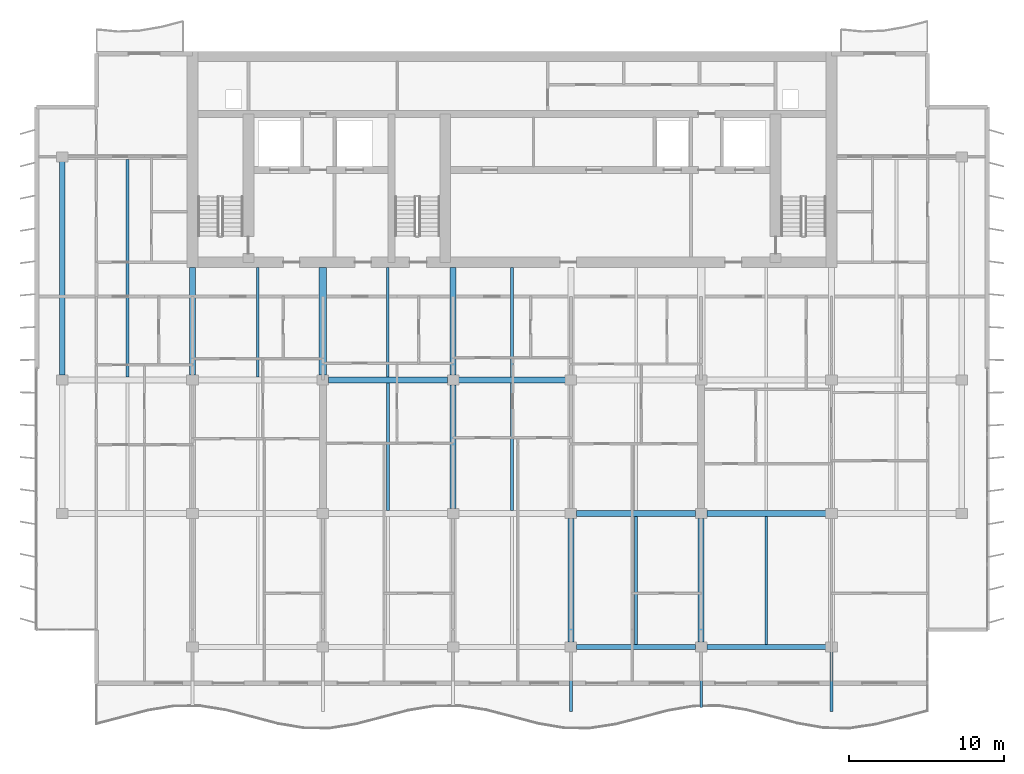
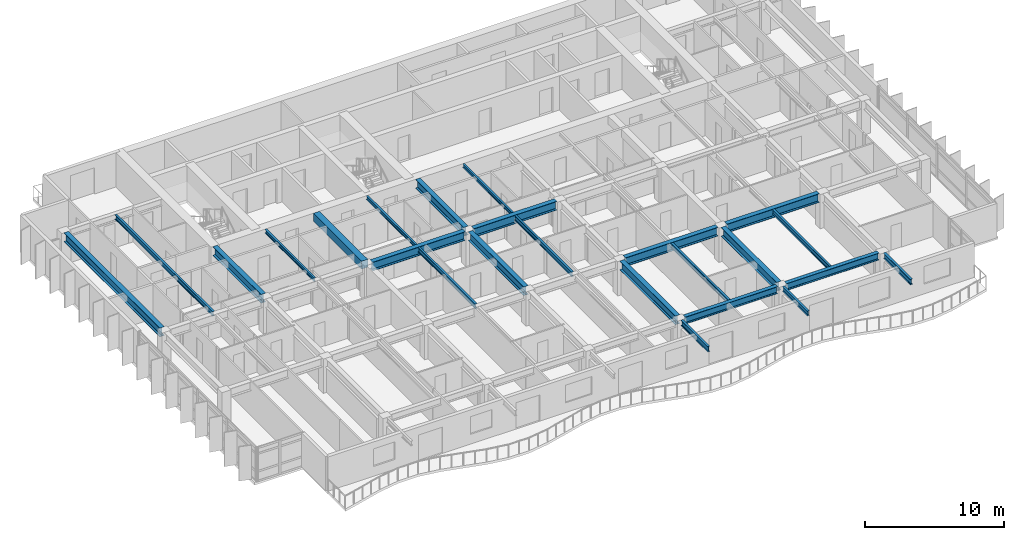
# One storey, part 3 of 16: 24 beams.
"""IFC4 building model written with IfcOpenShell, lengths in metres."""

import ifcopenshell
import ifcopenshell.guid

model = None  # the IFC model being written
_history = None  # IfcOwnerHistory: only IFC2X3 demands one
_inside = {}  # id of a spatial element -> (the spatial element, [elements in it])
_under = {}  # id of a project, library or spatial element -> (it, [spatial elements below it])
_declared = {}  # id of a project -> (the project, [libraries it declares])
_typed = {}  # id of a type object -> (the type object, [elements of that type])
_made_of = {}  # id of a material, layer set ... -> (it, [elements and type objects made of it])


def new_model(schema):
    """Start an empty IFC model of exactly this schema.

    Asked for "IFC4X3", IfcOpenShell would pick the latest addendum, in which some entities
    have other attributes; the version numbers below select the first issue.
    IFC2X3 requires an IfcOwnerHistory on every rooted entity: one is made here for all.
    """
    global model, _history
    if schema == "IFC4X3":
        model = ifcopenshell.file(schema_version=(4, 3, 0, 0))
    else:
        model = ifcopenshell.file(schema=schema)
    _inside.clear()
    _under.clear()
    _declared.clear()
    _typed.clear()
    _made_of.clear()
    _history = None
    if model.schema == "IFC2X3":
        org = make("IfcOrganization", Name="unknown")
        user = make(
            "IfcPersonAndOrganization",
            ThePerson=make("IfcPerson", FamilyName="unknown"),
            TheOrganization=org,
        )
        app = make(
            "IfcApplication",
            ApplicationDeveloper=org,
            Version="unknown",
            ApplicationFullName="unknown",
            ApplicationIdentifier="unknown",
        )
        _history = make(
            "IfcOwnerHistory",
            OwningUser=user,
            OwningApplication=app,
            ChangeAction="ADDED",
            CreationDate=0,
        )
    return model


def make(cls, **values):
    """One entity of the class cls with the attributes given. An attribute that is None is left unset."""
    return model.create_entity(
        cls, **{name: value for name, value in values.items() if value is not None}
    )


def rooted(cls, **values):
    """An entity with a GlobalId (a new one), such as an element, a storey or a relation."""
    return make(cls, GlobalId=ifcopenshell.guid.new(), OwnerHistory=_history, **values)


def si_unit(unit_type, name, prefix=None):
    """IfcSIUnit, for example si_unit("LENGTHUNIT", "METRE", prefix="MILLI")."""
    return make("IfcSIUnit", UnitType=unit_type, Prefix=prefix, Name=name)


def assignment(units):
    """IfcUnitAssignment: the units of a project."""
    return None if units is None else make("IfcUnitAssignment", Units=units)


def point(xyz):
    """IfcCartesianPoint."""
    return None if xyz is None else make("IfcCartesianPoint", Coordinates=xyz)


def direction(xyz):
    """IfcDirection."""
    return None if xyz is None else make("IfcDirection", DirectionRatios=xyz)


def frame(location, z_axis=None, x_axis=None):
    """IfcAxis2Placement3D, a coordinate frame: its origin and axes. An axis left out is left unset."""
    return make(
        "IfcAxis2Placement3D",
        Location=point(location),
        Axis=direction(z_axis),
        RefDirection=direction(x_axis),
    )


def frame_2d(location, x_axis=None):
    """IfcAxis2Placement2D, a coordinate frame in the plane: its origin and x axis."""
    return make(
        "IfcAxis2Placement2D", Location=point(location), RefDirection=direction(x_axis)
    )


def origin():
    """The frame at (0, 0, 0) with its axes left unset."""
    return frame((0.0, 0.0, 0.0))


def origin_2d():
    """The frame at (0, 0) in the plane with its x axis left unset."""
    return frame_2d((0.0, 0.0))


def place(relative_to, where):
    """IfcLocalPlacement: puts the frame where relative to a parent placement (None: the world)."""
    return make(
        "IfcLocalPlacement", PlacementRelTo=relative_to, RelativePlacement=where
    )


def context(
    kind, dimensions, precision=None, world=None, true_north=None, identifier=None
):
    """IfcGeometricRepresentationContext, for example the 3D "Model" context."""
    return make(
        "IfcGeometricRepresentationContext",
        ContextIdentifier=identifier,
        ContextType=kind,
        CoordinateSpaceDimension=dimensions,
        Precision=precision,
        WorldCoordinateSystem=world,
        TrueNorth=true_north,
    )


def subcontext(parent, identifier, kind, view, scale=None):
    """IfcGeometricRepresentationSubContext, for example "Body" below "Model"."""
    return make(
        "IfcGeometricRepresentationSubContext",
        ContextIdentifier=identifier,
        ContextType=kind,
        ParentContext=parent,
        TargetScale=scale,
        TargetView=view,
    )


def project(units=None, contexts=None):
    """IfcProject with its units and contexts."""
    return rooted(
        "IfcProject",
        Name="project",
        RepresentationContexts=contexts,
        UnitsInContext=assignment(units),
    )


def spatial(cls, under=None, at=None, **own):
    """A site, building, storey or space (cls), placed at a placement, below another one or the project."""
    s = rooted(cls, ObjectPlacement=at, **own)
    if under is not None:
        _under.setdefault(under.id(), (under, []))[1].append(s)
    return s


def profile(cls, at=None, kind="AREA", **sizes):
    """A parametric profile (cls). Its sizes go by their IFC names, for example OverallWidth=200.0."""
    return make(cls, ProfileType=kind, Position=at, **sizes)


def rectangle(**sizes):
    """IfcRectangleProfileDef."""
    return profile("IfcRectangleProfileDef", **sizes)


def i_section(**sizes):
    """IfcIShapeProfileDef."""
    return profile("IfcIShapeProfileDef", **sizes)


def extrude(swept, where, along, depth):
    """IfcExtrudedAreaSolid: the profile swept, set in the frame where, extruded along a direction by depth."""
    return make(
        "IfcExtrudedAreaSolid",
        SweptArea=swept,
        Position=where,
        ExtrudedDirection=direction(along),
        Depth=depth,
    )


def shape(context_of_items, identifier, shape_type, items):
    """IfcShapeRepresentation: the items that make up one representation, for example the "Body"."""
    return make(
        "IfcShapeRepresentation",
        ContextOfItems=context_of_items,
        RepresentationIdentifier=identifier,
        RepresentationType=shape_type,
        Items=items,
    )


def material(Name=None, Category=None):
    """IfcMaterial."""
    return make("IfcMaterial", Name=Name, Category=Category)


def material_profile(
    of_material, cross_section, Name=None, Category=None, Priority=None
):
    """IfcMaterialProfile: a cross section and its material."""
    return make(
        "IfcMaterialProfile",
        Name=Name,
        Material=of_material,
        Profile=cross_section,
        Priority=Priority,
        Category=Category,
    )


def profile_set(profiles, Name=None, composite=None):
    """IfcMaterialProfileSet."""
    return make(
        "IfcMaterialProfileSet",
        Name=Name,
        MaterialProfiles=profiles,
        CompositeProfile=composite,
    )


def made_of(thing, what):
    """Note that an element or type object is made of a material, layer set ...; save() writes the relation."""
    if what is not None:
        _made_of.setdefault(what.id(), (what, []))[1].append(thing)
    return thing


def type_object(cls, material=None, **own):
    """A type object (cls), such as IfcWallType, which elements share."""
    return made_of(rooted(cls, **own), material)


def element(
    cls,
    number,
    at=None,
    inside=None,
    cuts=None,
    type_object=None,
    material=None,
    context=None,
    identifier="Body",
    shape_type=None,
    held_by="IfcProductDefinitionShape",
    body=None,
    shapes=None,
    **own,
):
    """One element of the class cls, such as IfcWall. Its Tag is "e" and its number.

    at: its placement. inside: the storey or other place that contains it. cuts: it is an
    opening in that element (IfcRelVoidsElement). A single representation is given by context,
    identifier, shape_type and body (its items); several are given by shapes. held_by: the class
    of the entity that holds the representations. save() writes the other relations.
    """
    e = rooted(cls, Tag="e%d" % number, ObjectPlacement=at, **own)
    if body is not None:
        shapes = [shape(context, identifier, shape_type, body)]
    if shapes is not None:
        e.Representation = make(held_by, Representations=shapes)
    if inside is not None:
        _inside.setdefault(inside.id(), (inside, []))[1].append(e)
    if cuts is not None:
        rooted(
            "IfcRelVoidsElement", RelatingBuildingElement=cuts, RelatedOpeningElement=e
        )
    if type_object is not None:
        _typed.setdefault(type_object.id(), (type_object, []))[1].append(e)
    return made_of(e, material)


def aggregate(whole, parts):
    """IfcRelAggregates: a whole, such as a stair, and the parts it consists of."""
    return rooted("IfcRelAggregates", RelatingObject=whole, RelatedObjects=parts)


def save(model, path):
    """Write the relations noted so far, then the file.

    IfcRelAggregates (storeys below a building ...), IfcRelContainedInSpatialStructure (elements
    in a storey), IfcRelDefinesByType, IfcRelAssociatesMaterial and IfcRelDeclares: one each for
    every whole, place, type object, material and project.
    """
    for whole, parts in _under.values():
        aggregate(whole, parts)
    for where, things in _inside.values():
        rooted(
            "IfcRelContainedInSpatialStructure",
            RelatedElements=things,
            RelatingStructure=where,
        )
    for kind, things in _typed.values():
        rooted("IfcRelDefinesByType", RelatedObjects=things, RelatingType=kind)
    for what, things in _made_of.values():
        rooted("IfcRelAssociatesMaterial", RelatedObjects=things, RelatingMaterial=what)
    for by, libraries in _declared.values():
        rooted("IfcRelDeclares", RelatingContext=by, RelatedDefinitions=libraries)
    model.write(path)


model = new_model("IFC4")

# Units and contexts
model_context = context("Model", 3, precision=1e-05, world=origin(), true_north=direction((0.0, 1.0)))
body_context = subcontext(model_context, "Body", "Model", "MODEL_VIEW")
ifc_project = project(units=[si_unit("LENGTHUNIT", "METRE"), si_unit("AREAUNIT", "SQUARE_METRE"), si_unit("VOLUMEUNIT", "CUBIC_METRE"), si_unit("PLANEANGLEUNIT", "RADIAN"), si_unit("MASSUNIT", "GRAM", prefix="KILO")], contexts=[model_context])

# Site, building, storey
site_placement = place(None, origin())
site = spatial("IfcSite", under=ifc_project, at=site_placement, CompositionType="ELEMENT")
building_placement = place(site_placement, origin())
building = spatial("IfcBuilding", under=site, at=building_placement, Name="Caelmar Bay Residences", CompositionType="ELEMENT")
storey_placement = place(building_placement, frame((0.0, 0.0, 266.10009765625)))
storey = spatial("IfcBuildingStorey", under=building, at=storey_placement, Name="L75", CompositionType="ELEMENT", Elevation=266.10009765625)

# Beams
ifc_material_1 = material(Name="Steel ASTM A992 Grade 50", Category="steel")
ifc_material_profile_1 = material_profile(ifc_material_1, i_section(OverallWidth=0.177978515625, OverallDepth=0.406005859375, WebThickness=0.0078125, FlangeThickness=0.0126953125, FilletRadius=0.0087890625, at=origin_2d()), Name="W16X40")
ifc_profile_set_1 = profile_set([ifc_material_profile_1], Name="Steel ASTM A992 Grade 50")
beam_type_1 = type_object("IfcBeamType", Name="BM-BAL-W16X40", PredefinedType="JOIST", material=ifc_profile_set_1)
for number, where, z_axis, x_axis, name in (
    (1, (46.89990234375, 12.362548828125, 2.796875), (0.0, 1.0, 0.0), (-1.0, 0.0, 0.0), "L75 Composite Floor Joist 4"),
    (2, (55.300048828125, 12.362548828125, 2.796875), (0.0, 1.0, 0.0), (-1.0, 0.0, 0.0), "L75 Composite Floor Joist 5"),
):
    element("IfcBeam", number, at=place(storey_placement, frame(where, z_axis=z_axis, x_axis=x_axis)), inside=storey, type_object=beam_type_1, Name=name, PredefinedType="JOIST", context=body_context, shape_type="SweptSolid", body=[
        extrude(i_section(OverallWidth=0.177978515625, OverallDepth=0.406005859375, WebThickness=0.0078125, FlangeThickness=0.0126953125, FilletRadius=0.0087890625, at=origin_2d()), origin(), (0.0, 0.0, 1.0), 8.2470703125),
    ])
for number, where, z_axis, x_axis, name in (
    (3, (30.89990234375, 20.990478515625, 2.796875), (0.0, 1.0, 0.0), (-1.0, 0.0, 0.0), "L75 Composite Floor Joist 8"),
    (4, (38.89990234375, 20.990478515625, 2.796875), (0.0, 1.0, 0.0), (-1.0, 0.0, 0.0), "L75 Composite Floor Joist 9"),
):
    element("IfcBeam", number, at=place(storey_placement, frame(where, z_axis=z_axis, x_axis=x_axis)), inside=storey, type_object=beam_type_1, Name=name, PredefinedType="JOIST", context=body_context, shape_type="SweptSolid", body=[
        extrude(i_section(OverallWidth=0.177978515625, OverallDepth=0.406005859375, WebThickness=0.0078125, FlangeThickness=0.0126953125, FilletRadius=0.0087890625, at=origin_2d()), origin(), (0.0, 0.0, 1.0), 8.218994140625),
    ])
beam_1_placement = place(storey_placement, frame((14.10009765625, 29.590576171875, 2.796875), z_axis=(0.0, 1.0, 0.0), x_axis=(-1.0, 0.0, 0.0)))
element("IfcBeam", 5, at=beam_1_placement, inside=storey, type_object=beam_type_1, Name="L75 Composite Floor Joist 18", PredefinedType="JOIST", context=body_context, shape_type="SweptSolid", body=[
    extrude(i_section(OverallWidth=0.177978515625, OverallDepth=0.406005859375, WebThickness=0.0078125, FlangeThickness=0.0126953125, FilletRadius=0.0087890625, at=origin_2d()), origin(), (0.0, 0.0, 1.0), 14.046875),
])
beam_2_placement = place(storey_placement, frame((51.10009765625, 11.885009765625, 2.796875), z_axis=(0.0, -1.0, 0.0), x_axis=(1.0, 0.0, 0.0)))
element("IfcBeam", 6, at=beam_2_placement, inside=storey, type_object=beam_type_1, Name="L76 South Balcony Cantilever Bracket 5", PredefinedType="JOIST", context=body_context, shape_type="SweptSolid", body=[
    extrude(i_section(OverallWidth=0.177978515625, OverallDepth=0.406005859375, WebThickness=0.0078125, FlangeThickness=0.0126953125, FilletRadius=0.0087890625, at=origin_2d()), origin(), (0.0, 0.0, 1.0), 3.586669921875),
])
ifc_material_profile_2 = material_profile(ifc_material_1, i_section(OverallWidth=0.193115234375, OverallDepth=0.467041015625, WebThickness=0.011474609375, FlangeThickness=0.01904296875, FilletRadius=0.01025390625, at=origin_2d()), Name="W18X65")
ifc_profile_set_2 = profile_set([ifc_material_profile_2], Name="Steel ASTM A992 Grade 50")
beam_type_2 = type_object("IfcBeamType", Name="BM-BAL-W18X65", PredefinedType="BEAM", material=ifc_profile_set_2)
for number, where, z_axis, x_axis, name in (
    (7, (42.699951171875, 11.885009765625, 2.766357421875), (0.0, -1.0, 0.0), (1.0, 0.0, 0.0), "L76 South Balcony Cantilever Bracket 4"),
    (8, (59.5, 11.885009765625, 2.766357421875), (0.0, -1.0, 0.0), (1.0, 0.0, 0.0), "L76 South Balcony Cantilever Bracket 6"),
):
    element("IfcBeam", number, at=place(storey_placement, frame(where, z_axis=z_axis, x_axis=x_axis)), inside=storey, type_object=beam_type_2, Name=name, PredefinedType="BEAM", context=body_context, shape_type="SweptSolid", body=[
        extrude(i_section(OverallWidth=0.193115234375, OverallDepth=0.467041015625, WebThickness=0.011474609375, FlangeThickness=0.01904296875, FilletRadius=0.01025390625, at=origin_2d()), origin(), (0.0, 0.0, 1.0), 3.85009765625),
    ])
ifc_material_profile_3 = material_profile(ifc_material_1, i_section(OverallWidth=0.381103515625, OverallDepth=0.77197265625, WebThickness=0.0166015625, FlangeThickness=0.027099609375, FilletRadius=0.0166015625, at=origin_2d()), Name="W30X173")
ifc_profile_set_3 = profile_set([ifc_material_profile_3], Name="Steel ASTM A992 Grade 50")
beam_type_3 = type_object("IfcBeamType", Name="BM-GRD-W30X173", PredefinedType="BEAM", material=ifc_profile_set_3)
beam_3_placement = place(storey_placement, frame((43.06494140625, 20.800048828125, 2.614013671875), z_axis=(1.0, 0.0, 0.0), x_axis=(0.0, 1.0, 0.0)))
element("IfcBeam", 9, at=beam_3_placement, inside=storey, type_object=beam_type_3, Name="L75 East-West Girder Y=20.80 (42.7-51.1)", PredefinedType="BEAM", context=body_context, shape_type="SweptSolid", body=[
    extrude(i_section(OverallWidth=0.381103515625, OverallDepth=0.77197265625, WebThickness=0.0166015625, FlangeThickness=0.027099609375, FilletRadius=0.0166015625, at=origin_2d()), origin(), (0.0, 0.0, 1.0), 7.670166015625),
])
beam_4_placement = place(storey_placement, frame((51.465087890625, 20.800048828125, 2.614013671875), z_axis=(1.0, 0.0, 0.0), x_axis=(0.0, 1.0, 0.0)))
element("IfcBeam", 10, at=beam_4_placement, inside=storey, type_object=beam_type_3, Name="L75 East-West Girder Y=20.80 (51.1-59.5)", PredefinedType="BEAM", context=body_context, shape_type="SweptSolid", body=[
    extrude(i_section(OverallWidth=0.381103515625, OverallDepth=0.77197265625, WebThickness=0.0166015625, FlangeThickness=0.027099609375, FilletRadius=0.0166015625, at=origin_2d()), origin(), (0.0, 0.0, 1.0), 7.669921875),
])
beam_5_placement = place(storey_placement, frame((27.06494140625, 29.39990234375, 2.614013671875), z_axis=(1.0, 0.0, 0.0), x_axis=(0.0, 1.0, 0.0)))
element("IfcBeam", 11, at=beam_5_placement, inside=storey, type_object=beam_type_3, Name="L75 East-West Girder Y=29.40 (26.7-35.1)", PredefinedType="BEAM", context=body_context, shape_type="SweptSolid", body=[
    extrude(i_section(OverallWidth=0.381103515625, OverallDepth=0.77197265625, WebThickness=0.0166015625, FlangeThickness=0.027099609375, FilletRadius=0.0166015625, at=origin_2d()), origin(), (0.0, 0.0, 1.0), 7.670166015625),
])
beam_6_placement = place(storey_placement, frame((35.465087890625, 29.39990234375, 2.614013671875), z_axis=(1.0, 0.0, 0.0), x_axis=(0.0, 1.0, 0.0)))
element("IfcBeam", 12, at=beam_6_placement, inside=storey, type_object=beam_type_3, Name="L75 East-West Girder Y=29.40 (35.1-42.7)", PredefinedType="BEAM", context=body_context, shape_type="SweptSolid", body=[
    extrude(i_section(OverallWidth=0.381103515625, OverallDepth=0.77197265625, WebThickness=0.0166015625, FlangeThickness=0.027099609375, FilletRadius=0.0166015625, at=origin_2d()), origin(), (0.0, 0.0, 1.0), 6.869873046875),
])
beam_7_placement = place(storey_placement, frame((9.89990234375, 29.715087890625, 2.614013671875), z_axis=(0.0, 1.0, 0.0), x_axis=(-1.0, 0.0, 0.0)))
element("IfcBeam", 13, at=beam_7_placement, inside=storey, type_object=beam_type_3, Name="L75 North-South Girder X=9.90 (29.4-43.8)", PredefinedType="BEAM", context=body_context, shape_type="SweptSolid", body=[
    extrude(i_section(OverallWidth=0.381103515625, OverallDepth=0.77197265625, WebThickness=0.0166015625, FlangeThickness=0.027099609375, FilletRadius=0.0166015625, at=origin_2d()), origin(), (0.0, 0.0, 1.0), 13.77001953125),
])
for number, where, z_axis, x_axis, name in (
    (14, (18.300048828125, 29.715087890625, 2.614013671875), (0.0, 1.0, 0.0), (-1.0, 0.0, 0.0), "L75 Core Tie Girder X=18.30"),
    (15, (35.10009765625, 29.715087890625, 2.614013671875), (0.0, 1.0, 0.0), (-1.0, 0.0, 0.0), "L75 Core Tie Girder X=35.10"),
):
    element("IfcBeam", number, at=place(storey_placement, frame(where, z_axis=z_axis, x_axis=x_axis)), inside=storey, type_object=beam_type_3, Name=name, PredefinedType="BEAM", context=body_context, shape_type="SweptSolid", body=[
        extrude(i_section(OverallWidth=0.381103515625, OverallDepth=0.77197265625, WebThickness=0.0166015625, FlangeThickness=0.027099609375, FilletRadius=0.0166015625, at=origin_2d()), origin(), (0.0, 0.0, 1.0), 6.934814453125),
    ])
beam_8_placement = place(storey_placement, frame((35.10009765625, 21.114990234375, 2.614013671875), z_axis=(0.0, 1.0, 0.0), x_axis=(-1.0, 0.0, 0.0)))
element("IfcBeam", 16, at=beam_8_placement, inside=storey, type_object=beam_type_3, Name="L75 North-South Girder X=35.10 (20.8-29.4)", PredefinedType="BEAM", context=body_context, shape_type="SweptSolid", body=[
    extrude(i_section(OverallWidth=0.381103515625, OverallDepth=0.77197265625, WebThickness=0.0166015625, FlangeThickness=0.027099609375, FilletRadius=0.0166015625, at=origin_2d()), origin(), (0.0, 0.0, 1.0), 7.969970703125),
])
for number, where, z_axis, x_axis, name in (
    (17, (42.699951171875, 12.514892578125, 2.614013671875), (0.0, 1.0, 0.0), (-1.0, 0.0, 0.0), "L75 North-South Girder X=42.70 (12.2-20.8)"),
    (18, (51.10009765625, 12.514892578125, 2.614013671875), (0.0, 1.0, 0.0), (-1.0, 0.0, 0.0), "L75 North-South Girder X=51.10 (12.2-20.8)"),
):
    element("IfcBeam", number, at=place(storey_placement, frame(where, z_axis=z_axis, x_axis=x_axis)), inside=storey, type_object=beam_type_3, Name=name, PredefinedType="BEAM", context=body_context, shape_type="SweptSolid", body=[
        extrude(i_section(OverallWidth=0.381103515625, OverallDepth=0.77197265625, WebThickness=0.0166015625, FlangeThickness=0.027099609375, FilletRadius=0.0166015625, at=origin_2d()), origin(), (0.0, 0.0, 1.0), 7.97021484375),
    ])
ifc_material_profile_4 = material_profile(ifc_material_1, i_section(OverallWidth=0.1650390625, OverallDepth=0.31005859375, WebThickness=0.005859375, FlangeThickness=0.009765625, FilletRadius=0.007568359375, at=origin_2d()), Name="W12X26")
ifc_profile_set_4 = profile_set([ifc_material_profile_4], Name="Steel ASTM A992 Grade 50")
beam_type_4 = type_object("IfcBeamType", Name="BM-JST-W12X26", PredefinedType="JOIST", material=ifc_profile_set_4)
for number, where, z_axis, x_axis, name in (
    (19, (22.5, 29.590576171875, 2.844970703125), (0.0, 1.0, 0.0), (-1.0, 0.0, 0.0), "L75 Core-Band Composite Joist 13"),
    (20, (30.89990234375, 29.590576171875, 2.844970703125), (0.0, 1.0, 0.0), (-1.0, 0.0, 0.0), "L75 Core-Band Composite Joist 14"),
    (21, (38.89990234375, 29.590576171875, 2.844970703125), (0.0, 1.0, 0.0), (-1.0, 0.0, 0.0), "L75 Core-Band Composite Joist 15"),
):
    element("IfcBeam", number, at=place(storey_placement, frame(where, z_axis=z_axis, x_axis=x_axis)), inside=storey, type_object=beam_type_4, Name=name, PredefinedType="JOIST", context=body_context, shape_type="SweptSolid", body=[
        extrude(i_section(OverallWidth=0.1650390625, OverallDepth=0.31005859375, WebThickness=0.005859375, FlangeThickness=0.009765625, FilletRadius=0.007568359375, at=origin_2d()), origin(), (0.0, 0.0, 1.0), 7.059326171875),
    ])
ifc_material_2 = material(Name="Concrete f'c 55 MPa (8,000 psi)", Category="concrete")
ifc_material_profile_5 = material_profile(ifc_material_2, rectangle(XDim=0.5, YDim=0.699951171875, at=origin_2d()), Name="RC-BM-500X700")
ifc_profile_set_5 = profile_set([ifc_material_profile_5], Name="Concrete f'c 55 MPa (8,000 psi)")
beam_type_5 = type_object("IfcBeamType", Name="BM-RC-500X700", PredefinedType="LINTEL", material=ifc_profile_set_5)
beam_9_placement = place(storey_placement, frame((26.699951171875, 29.715087890625, 2.64990234375), z_axis=(0.0, 1.0, 0.0), x_axis=(-1.0, 0.0, 0.0)))
element("IfcBeam", 22, at=beam_9_placement, inside=storey, type_object=beam_type_5, Name="L75 Shear-Wall Corridor Coupling Lintel W5", PredefinedType="LINTEL", context=body_context, shape_type="SweptSolid", body=[
    extrude(rectangle(XDim=0.5, YDim=0.699951171875, at=origin_2d()), origin(), (0.0, 0.0, 1.0), 6.934814453125),
])
ifc_material_profile_6 = material_profile(ifc_material_1, i_section(OverallWidth=0.324951171875, OverallDepth=0.616943359375, WebThickness=0.013916015625, FlangeThickness=0.021484375, FilletRadius=0.0126953125, at=origin_2d()), Name="W24X117")
ifc_profile_set_6 = profile_set([ifc_material_profile_6], Name="Steel ASTM A992 Grade 50")
beam_type_6 = type_object("IfcBeamType", Name="BM-SPN-W24X117", PredefinedType="SPANDREL", material=ifc_profile_set_6)
beam_10_placement = place(storey_placement, frame((43.06494140625, 12.199951171875, 2.69140625), z_axis=(1.0, 0.0, 0.0), x_axis=(0.0, 1.0, 0.0)))
element("IfcBeam", 23, at=beam_10_placement, inside=storey, type_object=beam_type_6, Name="L75 East-West Girder Y=12.20 (42.7-51.1)", PredefinedType="SPANDREL", context=body_context, shape_type="SweptSolid", body=[
    extrude(i_section(OverallWidth=0.324951171875, OverallDepth=0.616943359375, WebThickness=0.013916015625, FlangeThickness=0.021484375, FilletRadius=0.0126953125, at=origin_2d()), origin(), (0.0, 0.0, 1.0), 7.670166015625),
])
beam_11_placement = place(storey_placement, frame((51.465087890625, 12.199951171875, 2.69140625), z_axis=(1.0, 0.0, 0.0), x_axis=(0.0, 1.0, 0.0)))
element("IfcBeam", 24, at=beam_11_placement, inside=storey, type_object=beam_type_6, Name="L75 East-West Girder Y=12.20 (51.1-59.5)", PredefinedType="SPANDREL", context=body_context, shape_type="SweptSolid", body=[
    extrude(i_section(OverallWidth=0.324951171875, OverallDepth=0.616943359375, WebThickness=0.013916015625, FlangeThickness=0.021484375, FilletRadius=0.0126953125, at=origin_2d()), origin(), (0.0, 0.0, 1.0), 7.669921875),
])

save(model, "model.ifc")
